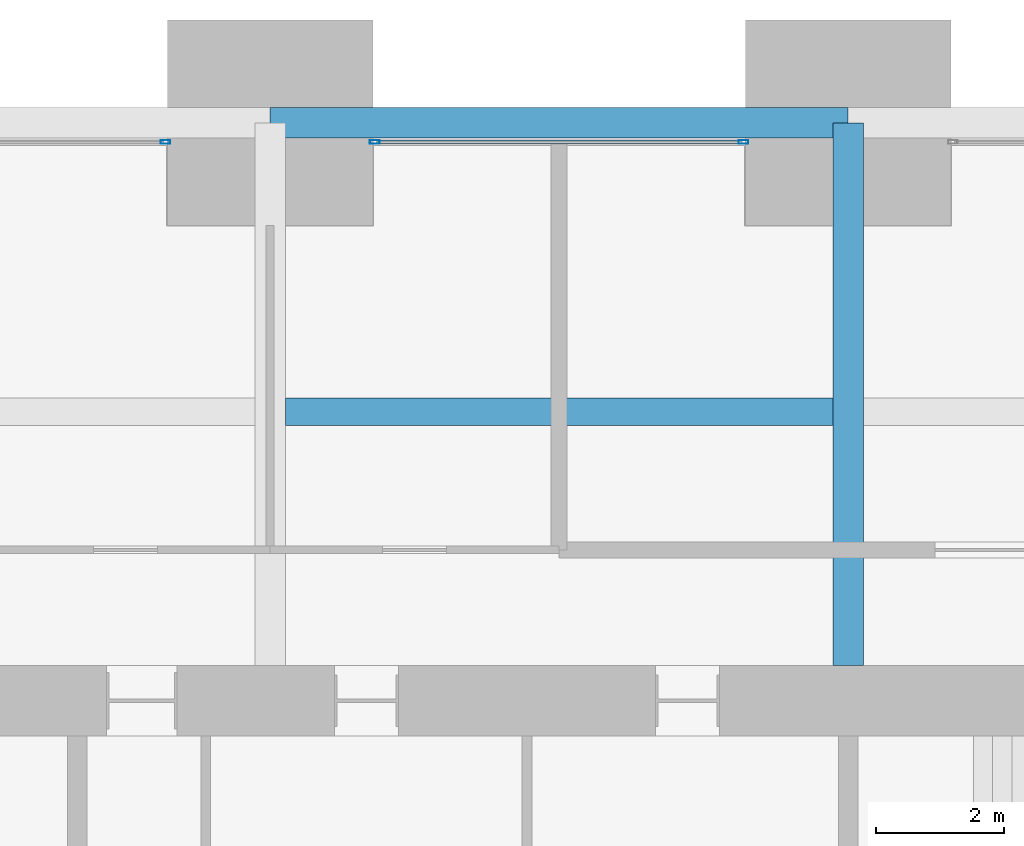
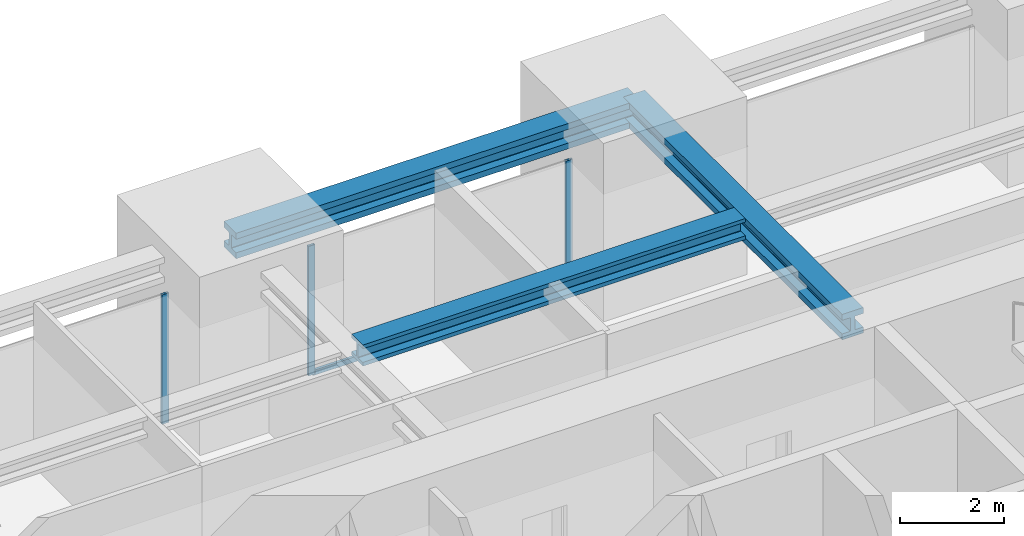
# One storey, part 34 of 45: 4 members, 3 beams, 2 elements without a shape of their own.
"""IFC4 building model written with IfcOpenShell, lengths in metres."""

from ifc_helpers import new_model, si_unit, direction, frame, origin, origin_2d, place, context, subcontext, project, spatial, hollow_rectangle, i_section, extrude, material, material_profile, profile_set, type_object, element, aggregate, save


model = new_model("IFC4")

# Units and contexts
model_context = context("Model", 3, precision=1e-05, world=origin(), true_north=direction((0.0, 1.0)))
body_context = subcontext(model_context, "Body", "Model", "MODEL_VIEW")
ifc_project = project(units=[si_unit("LENGTHUNIT", "METRE"), si_unit("AREAUNIT", "SQUARE_METRE"), si_unit("VOLUMEUNIT", "CUBIC_METRE"), si_unit("PLANEANGLEUNIT", "RADIAN"), si_unit("MASSUNIT", "GRAM", prefix="KILO")], contexts=[model_context])

# Site, building, storey
site_placement = place(None, origin())
site = spatial("IfcSite", under=ifc_project, at=site_placement, CompositionType="ELEMENT")
building_placement = place(site_placement, origin())
building = spatial("IfcBuilding", under=site, at=building_placement, Name="Zorevar Civic Tower", CompositionType="ELEMENT")
storey_placement = place(building_placement, frame((0.0, 0.0, 153.0)))
storey = spatial("IfcBuildingStorey", under=building, at=storey_placement, Name="L37", CompositionType="ELEMENT", Elevation=153.0)

# Beam
ifc_material_1 = material(Name="Steel S460M (HISTAR 460)", Category="steel")
ifc_material_profile_1 = material_profile(ifc_material_1, i_section(OverallWidth=0.47607421875, OverallDepth=0.60009765625, WebThickness=0.10009765625, FlangeThickness=0.139892578125, FilletRadius=0.014892578125, at=origin_2d()), Name="HD 400x1299")
ifc_profile_set_1 = profile_set([ifc_material_profile_1], Name="Steel S460M (HISTAR 460)")
beam_type_1 = type_object("IfcBeamType", Name="Belt chord HD 400x1299", PredefinedType="BEAM", material=ifc_profile_set_1)
beam_1_placement = place(storey_placement, frame((27.0, 45.0, 3.550048828125), z_axis=(1.0, 0.0, 0.0), x_axis=(0.0, 1.0, 0.0)))
element("IfcBeam", 1, at=beam_1_placement, inside=storey, type_object=beam_type_1, Name="Belt chord L38", PredefinedType="BEAM", context=body_context, shape_type="SweptSolid", body=[
    extrude(i_section(OverallWidth=0.47607421875, OverallDepth=0.60009765625, WebThickness=0.10009765625, FlangeThickness=0.139892578125, FilletRadius=0.014892578125, at=origin_2d()), origin(), (0.0, 0.0, 1.0), 9.0),
])

# Curtain wall, member
ifc_material_2 = material(Name="Dark grey solar-control glass in black aluminium frame", Category="aluminium")
curtain_wall_type = type_object("IfcCurtainWallType", Name="Curtain wall CW3 mid zone", PredefinedType="NOTDEFINED", material=ifc_material_2)
curtain_wall_1_placement = place(storey_placement, origin())
curtain_wall_1 = element("IfcCurtainWall", 2, at=curtain_wall_1_placement, inside=storey, type_object=curtain_wall_type, Name="CW3 L37", PredefinedType="NOTDEFINED")
ifc_material_3 = material(Name="Aluminium, black anodised", Category="aluminium")
ifc_material_profile_2 = material_profile(ifc_material_3, hollow_rectangle(XDim=0.06005859375, YDim=0.14990234375, WallThickness=0.00390625, at=origin_2d()), Name="AL 150x60x4")
ifc_profile_set_2 = profile_set([ifc_material_profile_2], Name="Aluminium, black anodised")
member_type_1 = type_object("IfcMemberType", Name="CW3 mullion AL 150x60x4", PredefinedType="MULLION", material=ifc_profile_set_2)
member_1_placement = place(storey_placement, frame((25.3701171875, 44.699951171875, 0.0), z_axis=(0.0, 0.0, 1.0), x_axis=(0.0, 1.0, 0.0)))
member_1 = element("IfcMember", 3, at=member_1_placement, type_object=member_type_1, Name="CW3 mullion 2", PredefinedType="MULLION", context=body_context, shape_type="SweptSolid", body=[
    extrude(hollow_rectangle(XDim=0.06005859375, YDim=0.14990234375, WallThickness=0.00390625, at=origin_2d()), origin(), (0.0, 0.0, 1.0), 3.050048828125),
])
aggregate(curtain_wall_1, [member_1])

# Curtain wall, members
curtain_wall_2_placement = place(storey_placement, origin())
curtain_wall_2 = element("IfcCurtainWall", 4, at=curtain_wall_2_placement, inside=storey, type_object=curtain_wall_type, Name="CW3 L37", PredefinedType="NOTDEFINED")
member_2_placement = place(storey_placement, frame((28.6298828125, 44.699951171875, 0.0), z_axis=(0.0, 0.0, 1.0), x_axis=(0.0, 1.0, 0.0)))
member_2 = element("IfcMember", 5, at=member_2_placement, type_object=member_type_1, Name="CW3 mullion 1", PredefinedType="MULLION", context=body_context, shape_type="SweptSolid", body=[
    extrude(hollow_rectangle(XDim=0.06005859375, YDim=0.14990234375, WallThickness=0.00390625, at=origin_2d()), origin(), (0.0, 0.0, 1.0), 3.050048828125),
])
member_3_placement = place(storey_placement, frame((34.3701171875, 44.699951171875, 0.0), z_axis=(0.0, 0.0, 1.0), x_axis=(0.0, 1.0, 0.0)))
member_3 = element("IfcMember", 6, at=member_3_placement, type_object=member_type_1, Name="CW3 mullion 2", PredefinedType="MULLION", context=body_context, shape_type="SweptSolid", body=[
    extrude(hollow_rectangle(XDim=0.06005859375, YDim=0.14990234375, WallThickness=0.00390625, at=origin_2d()), origin(), (0.0, 0.0, 1.0), 3.050048828125),
])
ifc_material_4 = material(Name="Aluminium, black anodised", Category="aluminium")
ifc_material_profile_3 = material_profile(ifc_material_4, hollow_rectangle(XDim=0.06005859375, YDim=0.1201171875, WallThickness=0.0029296875, at=origin_2d()), Name="AL 120x60x3")
ifc_profile_set_3 = profile_set([ifc_material_profile_3], Name="Aluminium, black anodised")
member_type_2 = type_object("IfcMemberType", Name="CW3 transom AL 120x60x3", PredefinedType="USERDEFINED", material=ifc_profile_set_3)
member_4_placement = place(storey_placement, frame((28.659912109375, 44.699951171875, 0.030029296875), z_axis=(1.0, 0.0, 0.0), x_axis=(0.0, 1.0, 0.0)))
member_4 = element("IfcMember", 7, at=member_4_placement, type_object=member_type_2, Name="CW3 sill transom", ObjectType="TRANSOM", PredefinedType="USERDEFINED", context=body_context, shape_type="SweptSolid", body=[
    extrude(hollow_rectangle(XDim=0.06005859375, YDim=0.1201171875, WallThickness=0.0029296875, at=origin_2d()), origin(), (0.0, 0.0, 1.0), 5.68017578125),
])
aggregate(curtain_wall_2, [member_2, member_3, member_4])

# Beams
ifc_material_5 = material(Name="Steel S460M (HISTAR 460)", Category="steel")
ifc_material_profile_4 = material_profile(ifc_material_5, i_section(OverallWidth=0.431884765625, OverallDepth=0.498046875, WebThickness=0.0556640625, FlangeThickness=0.0888671875, FilletRadius=0.014892578125, at=origin_2d()), Name="HD 400x744")
ifc_profile_set_4 = profile_set([ifc_material_profile_4], Name="Steel S460M (HISTAR 460)")
beam_type_2 = type_object("IfcBeamType", Name="Core bay beam HD 400x744", PredefinedType="BEAM", material=ifc_profile_set_4)
beam_2_placement = place(storey_placement, frame((27.238037109375, 40.5, 3.60107421875), z_axis=(1.0, 0.0, 0.0), x_axis=(0.0, 1.0, 0.0)))
element("IfcBeam", 8, at=beam_2_placement, inside=storey, type_object=beam_type_2, Name="Secondary beam L38", PredefinedType="BEAM", context=body_context, shape_type="SweptSolid", body=[
    extrude(i_section(OverallWidth=0.431884765625, OverallDepth=0.498046875, WebThickness=0.0556640625, FlangeThickness=0.0888671875, FilletRadius=0.014892578125, at=origin_2d()), origin(), (0.0, 0.0, 1.0), 8.52392578125),
])
ifc_material_6 = material(Name="Steel S460M (HISTAR 460)", Category="steel")
ifc_material_profile_5 = material_profile(ifc_material_6, i_section(OverallWidth=0.47607421875, OverallDepth=0.60009765625, WebThickness=0.10009765625, FlangeThickness=0.139892578125, FilletRadius=0.014892578125, at=origin_2d()), Name="HD 400x1299")
ifc_profile_set_5 = profile_set([ifc_material_profile_5], Name="Steel S460M (HISTAR 460)")
beam_type_3 = type_object("IfcBeamType", Name="Outrigger chord HD 400x1299", PredefinedType="BEAM", material=ifc_profile_set_5)
beam_3_placement = place(storey_placement, frame((36.0, 36.550048828125, 3.550048828125), z_axis=(0.0, 1.0, 0.0), x_axis=(-1.0, 0.0, 0.0)))
element("IfcBeam", 9, at=beam_3_placement, inside=storey, type_object=beam_type_3, Name="Outrigger chord L38", PredefinedType="BEAM", context=body_context, shape_type="SweptSolid", body=[
    extrude(i_section(OverallWidth=0.47607421875, OverallDepth=0.60009765625, WebThickness=0.10009765625, FlangeThickness=0.139892578125, FilletRadius=0.014892578125, at=origin_2d()), origin(), (0.0, 0.0, 1.0), 8.449951171875),
])

save(model, "model.ifc")
